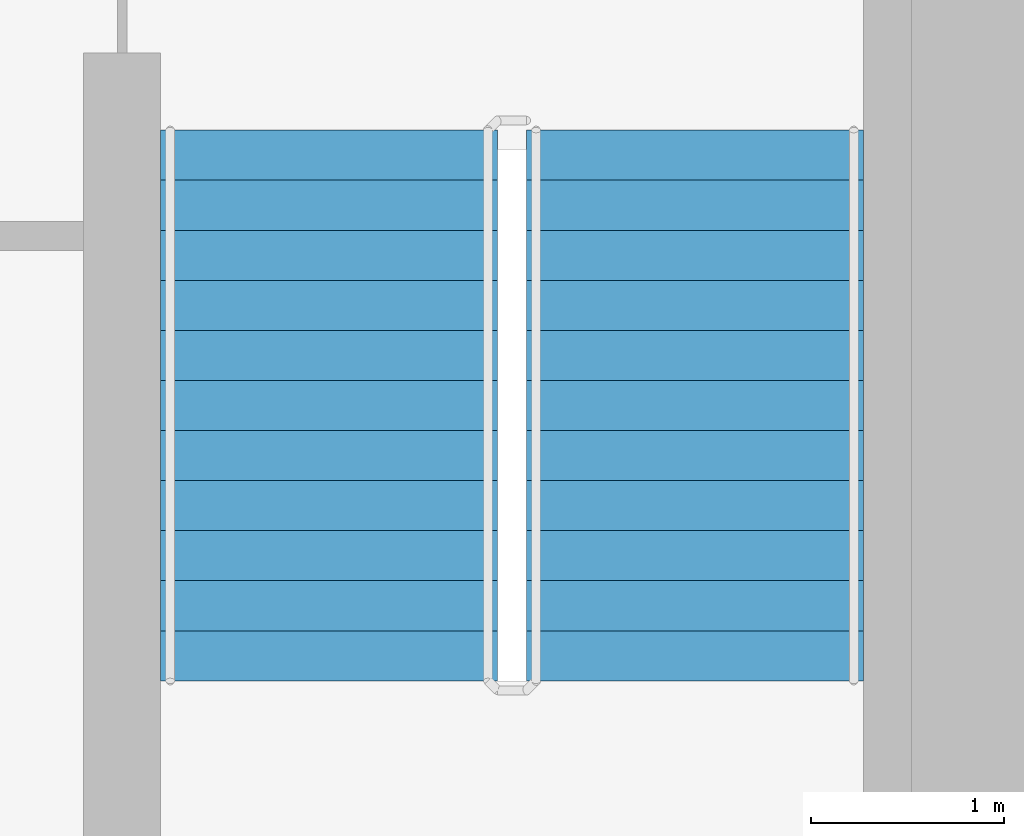
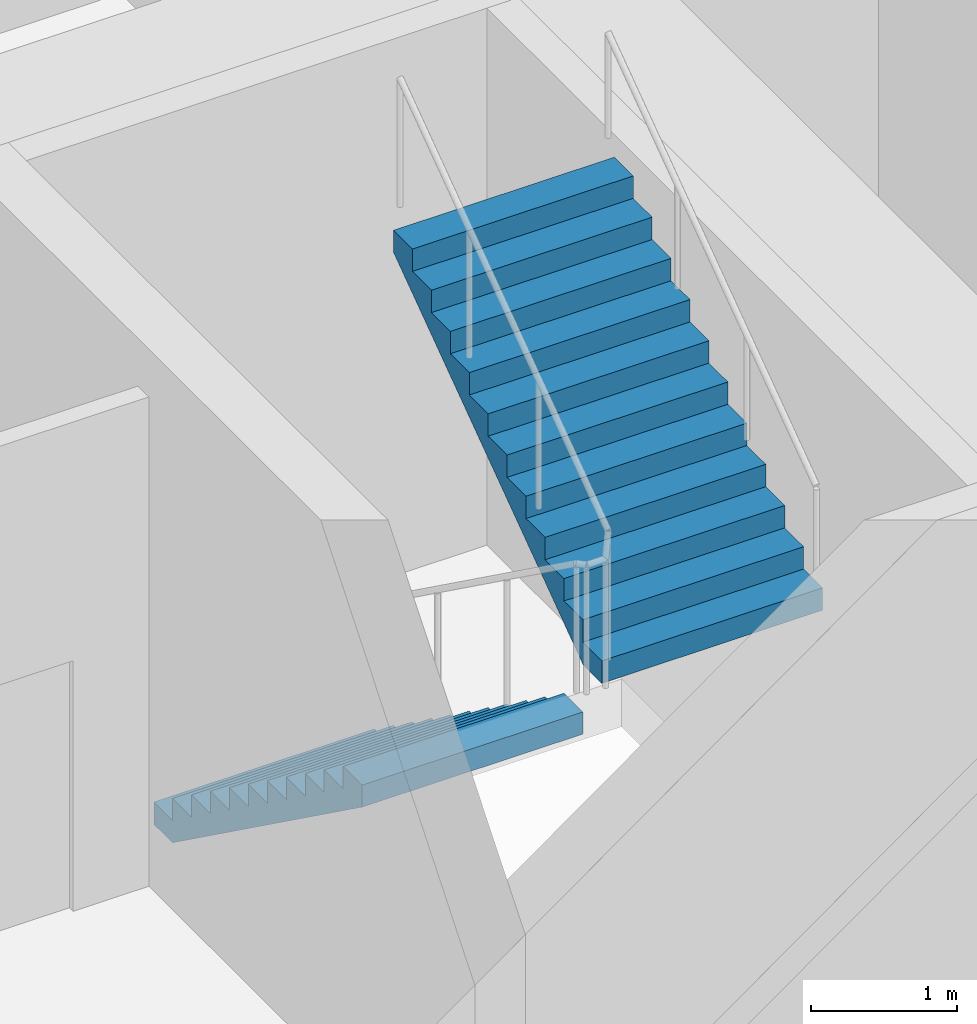
# One storey, part 19 of 20: 2 stair flights, 1 element without a shape of its own.
"""IFC4 building model written with IfcOpenShell, lengths in metres."""

from ifc_helpers import new_model, si_unit, direction, frame, origin, place, context, subcontext, project, spatial, faceted_brep, material, type_object, element, aggregate, save


model = new_model("IFC4")

# Units and contexts
model_context = context("Model", 3, precision=1e-05, world=origin(), true_north=direction((0.0, 1.0)))
body_context = subcontext(model_context, "Body", "Model", "MODEL_VIEW")
ifc_project = project(units=[si_unit("LENGTHUNIT", "METRE"), si_unit("AREAUNIT", "SQUARE_METRE"), si_unit("VOLUMEUNIT", "CUBIC_METRE"), si_unit("PLANEANGLEUNIT", "RADIAN"), si_unit("MASSUNIT", "GRAM", prefix="KILO")], contexts=[model_context])

# Site, building, storey
site_placement = place(None, origin())
site = spatial("IfcSite", under=ifc_project, at=site_placement, CompositionType="ELEMENT")
building_placement = place(site_placement, origin())
building = spatial("IfcBuilding", under=site, at=building_placement, Name="Ipe Terrace Towers", CompositionType="ELEMENT")
storey_placement = place(building_placement, frame((0.0, 0.0, 124.199951171875)))
storey = spatial("IfcBuildingStorey", under=building, at=storey_placement, Name="L34", CompositionType="ELEMENT", Elevation=124.199951171875)

# Stair, stair flights
ifc_material_1 = material(Name="Concrete C30/37", Category="concrete")
stair_type = type_object("IfcStairType", Name="Protected exit stair", PredefinedType="HALF_TURN_STAIR", material=ifc_material_1)
stair_placement = place(storey_placement, origin())
stair = element("IfcStair", 1, at=stair_placement, inside=storey, type_object=stair_type, Name="L34 Exit stair T2-C2", PredefinedType="HALF_TURN_STAIR")
ifc_material_2 = material(Name="Concrete C30/37", Category="concrete")
stair_flight_type = type_object("IfcStairFlightType", Name="Exit stair flight 1750", PredefinedType="STRAIGHT", material=ifc_material_2)
stair_flight_1_placement = place(storey_placement, frame((38.77490234375, -9.699951171875, 0.0), z_axis=(0.0, 0.0, 1.0), x_axis=(0.0, -1.0, 0.0)))
stair_flight_1 = element("IfcStairFlight", 2, at=stair_flight_1_placement, type_object=stair_flight_type, Name="T2-ST2 flight 1", NumberOfRisers=12, NumberOfTreads=11, PredefinedType="STRAIGHT", RiserHeight=0.1875, TreadLength=0.26, context=body_context, shape_type="Brep", body=[
    faceted_brep([(0.25634765625, -0.875, 0.0), (2.860107421875, -0.875, 1.877685546875), (2.860107421875, -0.875, 2.0625), (2.60009765625, -0.875, 2.0625), (2.60009765625, -0.875, 1.875), (2.340087890625, -0.875, 1.875), (2.340087890625, -0.875, 1.6875), (2.080078125, -0.875, 1.6875), (2.080078125, -0.875, 1.5), (1.820068359375, -0.875, 1.5), (1.820068359375, -0.875, 1.3125), (1.56005859375, -0.875, 1.3125), (1.56005859375, -0.875, 1.125), (1.300048828125, -0.875, 1.125), (1.300048828125, -0.875, 0.9375), (1.0400390625, -0.875, 0.9375), (1.0400390625, -0.875, 0.75), (0.780029296875, -0.875, 0.75), (0.780029296875, -0.875, 0.5625), (0.52001953125, -0.875, 0.5625), (0.52001953125, -0.875, 0.375), (0.260009765625, -0.875, 0.375), (0.260009765625, -0.875, 0.1875), (0.0, -0.875, 0.1875), (0.0, -0.875, 0.0), (0.0, 0.875, 0.0), (0.0, 0.875, 0.1875), (0.260009765625, 0.875, 0.1875), (0.260009765625, 0.875, 0.375), (0.52001953125, 0.875, 0.375), (0.52001953125, 0.875, 0.5625), (0.780029296875, 0.875, 0.5625), (0.780029296875, 0.875, 0.75), (1.0400390625, 0.875, 0.75), (1.0400390625, 0.875, 0.9375), (1.300048828125, 0.875, 0.9375), (1.300048828125, 0.875, 1.125), (1.56005859375, 0.875, 1.125), (1.56005859375, 0.875, 1.3125), (1.820068359375, 0.875, 1.3125), (1.820068359375, 0.875, 1.5), (2.080078125, 0.875, 1.5), (2.080078125, 0.875, 1.6875), (2.340087890625, 0.875, 1.6875), (2.340087890625, 0.875, 1.875), (2.60009765625, 0.875, 1.875), (2.60009765625, 0.875, 2.0625), (2.860107421875, 0.875, 2.0625), (2.860107421875, 0.875, 1.877685546875), (0.25634765625, 0.875, 0.0), (0.0, -0.300048828125, 0.1875), (0.0, -0.1201171875, 0.1875), (0.0, -0.06005859375, 0.1875), (0.0, -0.030029296875, 0.1875), (0.0, -0.010009765625, 0.1875), (0.0, 0.0, 0.1875), (0.0, 0.010009765625, 0.1875), (0.0, 0.030029296875, 0.1875), (0.0, 0.06005859375, 0.1875), (0.0, 0.1201171875, 0.1875), (0.0, 0.300048828125, 0.1875), (0.0, 0.300048828125, 0.0), (0.0, 0.1201171875, 0.0), (0.0, 0.06005859375, 0.0), (0.0, 0.030029296875, 0.0), (0.0, 0.010009765625, 0.0), (0.0, 0.0, 0.0), (0.0, -0.010009765625, 0.0), (0.0, -0.030029296875, 0.0), (0.0, -0.06005859375, 0.0), (0.0, -0.1201171875, 0.0), (0.0, -0.300048828125, 0.0), (0.260009765625, -0.300048828125, 0.1875), (0.260009765625, -0.1201171875, 0.1875), (0.260009765625, -0.06005859375, 0.1875), (0.260009765625, -0.030029296875, 0.1875), (0.260009765625, -0.010009765625, 0.1875), (0.260009765625, 0.0, 0.1875), (0.260009765625, 0.010009765625, 0.1875), (0.260009765625, 0.030029296875, 0.1875), (0.260009765625, 0.06005859375, 0.1875), (0.260009765625, 0.1201171875, 0.1875), (0.260009765625, 0.300048828125, 0.1875), (0.260009765625, -0.300048828125, 0.375), (0.260009765625, -0.1201171875, 0.375), (0.260009765625, -0.06005859375, 0.375), (0.260009765625, -0.030029296875, 0.375), (0.260009765625, -0.010009765625, 0.375), (0.260009765625, 0.0, 0.375), (0.260009765625, 0.010009765625, 0.375), (0.260009765625, 0.030029296875, 0.375), (0.260009765625, 0.06005859375, 0.375), (0.260009765625, 0.1201171875, 0.375), (0.260009765625, 0.300048828125, 0.375), (0.52001953125, -0.300048828125, 0.375), (0.52001953125, -0.1201171875, 0.375), (0.52001953125, -0.06005859375, 0.375), (0.52001953125, -0.030029296875, 0.375), (0.52001953125, -0.010009765625, 0.375), (0.52001953125, 0.0, 0.375), (0.52001953125, 0.010009765625, 0.375), (0.52001953125, 0.030029296875, 0.375), (0.52001953125, 0.06005859375, 0.375), (0.52001953125, 0.1201171875, 0.375), (0.52001953125, 0.300048828125, 0.375), (0.52001953125, -0.300048828125, 0.5625), (0.52001953125, -0.1201171875, 0.5625), (0.52001953125, -0.06005859375, 0.5625), (0.52001953125, -0.030029296875, 0.5625), (0.52001953125, -0.010009765625, 0.5625), (0.52001953125, 0.0, 0.5625), (0.52001953125, 0.010009765625, 0.5625), (0.52001953125, 0.030029296875, 0.5625), (0.52001953125, 0.06005859375, 0.5625), (0.52001953125, 0.1201171875, 0.5625), (0.52001953125, 0.300048828125, 0.5625), (0.780029296875, -0.300048828125, 0.5625), (0.780029296875, -0.1201171875, 0.5625), (0.780029296875, -0.06005859375, 0.5625), (0.780029296875, -0.030029296875, 0.5625), (0.780029296875, -0.010009765625, 0.5625), (0.780029296875, 0.0, 0.5625), (0.780029296875, 0.010009765625, 0.5625), (0.780029296875, 0.030029296875, 0.5625), (0.780029296875, 0.06005859375, 0.5625), (0.780029296875, 0.1201171875, 0.5625), (0.780029296875, 0.300048828125, 0.5625), (0.780029296875, -0.300048828125, 0.75), (0.780029296875, -0.1201171875, 0.75), (0.780029296875, -0.06005859375, 0.75), (0.780029296875, -0.030029296875, 0.75), (0.780029296875, -0.010009765625, 0.75), (0.780029296875, 0.0, 0.75), (0.780029296875, 0.010009765625, 0.75), (0.780029296875, 0.030029296875, 0.75), (0.780029296875, 0.06005859375, 0.75), (0.780029296875, 0.1201171875, 0.75), (0.780029296875, 0.300048828125, 0.75), (1.0400390625, -0.300048828125, 0.75), (1.0400390625, -0.1201171875, 0.75), (1.0400390625, -0.06005859375, 0.75), (1.0400390625, -0.030029296875, 0.75), (1.0400390625, -0.010009765625, 0.75), (1.0400390625, 0.0, 0.75), (1.0400390625, 0.010009765625, 0.75), (1.0400390625, 0.030029296875, 0.75), (1.0400390625, 0.06005859375, 0.75), (1.0400390625, 0.1201171875, 0.75), (1.0400390625, 0.300048828125, 0.75), (1.0400390625, -0.300048828125, 0.9375), (1.0400390625, -0.1201171875, 0.9375), (1.0400390625, -0.06005859375, 0.9375), (1.0400390625, -0.030029296875, 0.9375), (1.0400390625, -0.010009765625, 0.9375), (1.0400390625, 0.0, 0.9375), (1.0400390625, 0.010009765625, 0.9375), (1.0400390625, 0.030029296875, 0.9375), (1.0400390625, 0.06005859375, 0.9375), (1.0400390625, 0.1201171875, 0.9375), (1.0400390625, 0.300048828125, 0.9375), (1.300048828125, -0.300048828125, 0.9375), (1.300048828125, -0.1201171875, 0.9375), (1.300048828125, -0.06005859375, 0.9375), (1.300048828125, -0.030029296875, 0.9375), (1.300048828125, -0.010009765625, 0.9375), (1.300048828125, 0.0, 0.9375), (1.300048828125, 0.010009765625, 0.9375), (1.300048828125, 0.030029296875, 0.9375), (1.300048828125, 0.06005859375, 0.9375), (1.300048828125, 0.1201171875, 0.9375), (1.300048828125, 0.300048828125, 0.9375), (1.300048828125, -0.300048828125, 1.125), (1.300048828125, -0.1201171875, 1.125), (1.300048828125, -0.06005859375, 1.125), (1.300048828125, -0.030029296875, 1.125), (1.300048828125, -0.010009765625, 1.125), (1.300048828125, 0.0, 1.125), (1.300048828125, 0.010009765625, 1.125), (1.300048828125, 0.030029296875, 1.125), (1.300048828125, 0.06005859375, 1.125), (1.300048828125, 0.1201171875, 1.125), (1.300048828125, 0.300048828125, 1.125), (1.56005859375, -0.300048828125, 1.125), (1.56005859375, -0.1201171875, 1.125), (1.56005859375, -0.06005859375, 1.125), (1.56005859375, -0.030029296875, 1.125), (1.56005859375, -0.010009765625, 1.125), (1.56005859375, 0.0, 1.125), (1.56005859375, 0.010009765625, 1.125), (1.56005859375, 0.030029296875, 1.125), (1.56005859375, 0.06005859375, 1.125), (1.56005859375, 0.1201171875, 1.125), (1.56005859375, 0.300048828125, 1.125), (1.56005859375, -0.300048828125, 1.3125), (1.56005859375, -0.1201171875, 1.3125), (1.56005859375, -0.06005859375, 1.3125), (1.56005859375, -0.030029296875, 1.3125), (1.56005859375, -0.010009765625, 1.3125), (1.56005859375, 0.0, 1.3125), (1.56005859375, 0.010009765625, 1.3125), (1.56005859375, 0.030029296875, 1.3125), (1.56005859375, 0.06005859375, 1.3125), (1.56005859375, 0.1201171875, 1.3125), (1.56005859375, 0.300048828125, 1.3125), (1.820068359375, -0.300048828125, 1.3125), (1.820068359375, -0.1201171875, 1.3125), (1.820068359375, -0.06005859375, 1.3125), (1.820068359375, -0.030029296875, 1.3125), (1.820068359375, -0.010009765625, 1.3125), (1.820068359375, 0.0, 1.3125), (1.820068359375, 0.010009765625, 1.3125), (1.820068359375, 0.030029296875, 1.3125), (1.820068359375, 0.06005859375, 1.3125), (1.820068359375, 0.1201171875, 1.3125), (1.820068359375, 0.300048828125, 1.3125), (1.820068359375, -0.300048828125, 1.5), (1.820068359375, -0.1201171875, 1.5), (1.820068359375, -0.06005859375, 1.5), (1.820068359375, -0.030029296875, 1.5), (1.820068359375, -0.010009765625, 1.5), (1.820068359375, 0.0, 1.5), (1.820068359375, 0.010009765625, 1.5), (1.820068359375, 0.030029296875, 1.5), (1.820068359375, 0.06005859375, 1.5), (1.820068359375, 0.1201171875, 1.5), (1.820068359375, 0.300048828125, 1.5), (2.080078125, -0.300048828125, 1.5), (2.080078125, -0.1201171875, 1.5), (2.080078125, -0.06005859375, 1.5), (2.080078125, -0.030029296875, 1.5), (2.080078125, -0.010009765625, 1.5), (2.080078125, 0.0, 1.5), (2.080078125, 0.010009765625, 1.5), (2.080078125, 0.030029296875, 1.5), (2.080078125, 0.06005859375, 1.5), (2.080078125, 0.1201171875, 1.5), (2.080078125, 0.300048828125, 1.5), (2.080078125, -0.300048828125, 1.6875), (2.080078125, -0.1201171875, 1.6875), (2.080078125, -0.06005859375, 1.6875), (2.080078125, -0.030029296875, 1.6875), (2.080078125, -0.010009765625, 1.6875), (2.080078125, 0.0, 1.6875), (2.080078125, 0.010009765625, 1.6875), (2.080078125, 0.030029296875, 1.6875), (2.080078125, 0.06005859375, 1.6875), (2.080078125, 0.1201171875, 1.6875), (2.080078125, 0.300048828125, 1.6875), (2.340087890625, -0.300048828125, 1.6875), (2.340087890625, -0.1201171875, 1.6875), (2.340087890625, -0.06005859375, 1.6875), (2.340087890625, -0.030029296875, 1.6875), (2.340087890625, -0.010009765625, 1.6875), (2.340087890625, 0.0, 1.6875), (2.340087890625, 0.010009765625, 1.6875), (2.340087890625, 0.030029296875, 1.6875), (2.340087890625, 0.06005859375, 1.6875), (2.340087890625, 0.1201171875, 1.6875), (2.340087890625, 0.300048828125, 1.6875), (2.340087890625, -0.300048828125, 1.875), (2.340087890625, -0.1201171875, 1.875), (2.340087890625, -0.06005859375, 1.875), (2.340087890625, -0.030029296875, 1.875), (2.340087890625, -0.010009765625, 1.875), (2.340087890625, 0.0, 1.875), (2.340087890625, 0.010009765625, 1.875), (2.340087890625, 0.030029296875, 1.875), (2.340087890625, 0.06005859375, 1.875), (2.340087890625, 0.1201171875, 1.875), (2.340087890625, 0.300048828125, 1.875), (2.60009765625, -0.300048828125, 1.875), (2.60009765625, -0.1201171875, 1.875), (2.60009765625, -0.06005859375, 1.875), (2.60009765625, -0.030029296875, 1.875), (2.60009765625, -0.010009765625, 1.875), (2.60009765625, 0.0, 1.875), (2.60009765625, 0.010009765625, 1.875), (2.60009765625, 0.030029296875, 1.875), (2.60009765625, 0.06005859375, 1.875), (2.60009765625, 0.1201171875, 1.875), (2.60009765625, 0.300048828125, 1.875), (2.60009765625, -0.300048828125, 2.0625), (2.60009765625, -0.1201171875, 2.0625), (2.60009765625, -0.06005859375, 2.0625), (2.60009765625, -0.030029296875, 2.0625), (2.60009765625, -0.010009765625, 2.0625), (2.60009765625, 0.0, 2.0625), (2.60009765625, 0.010009765625, 2.0625), (2.60009765625, 0.030029296875, 2.0625), (2.60009765625, 0.06005859375, 2.0625), (2.60009765625, 0.1201171875, 2.0625), (2.60009765625, 0.300048828125, 2.0625), (2.860107421875, -0.300048828125, 2.0625), (2.860107421875, -0.1201171875, 2.0625), (2.860107421875, -0.06005859375, 2.0625), (2.860107421875, -0.030029296875, 2.0625), (2.860107421875, -0.010009765625, 2.0625), (2.860107421875, 0.0, 2.0625), (2.860107421875, 0.010009765625, 2.0625), (2.860107421875, 0.030029296875, 2.0625), (2.860107421875, 0.06005859375, 2.0625), (2.860107421875, 0.1201171875, 2.0625), (2.860107421875, 0.300048828125, 2.0625), (2.860107421875, -0.300048828125, 1.877685546875), (2.860107421875, -0.1201171875, 1.877685546875), (2.860107421875, -0.06005859375, 1.877685546875), (2.860107421875, -0.030029296875, 1.877685546875), (2.860107421875, -0.010009765625, 1.877685546875), (2.860107421875, 0.0, 1.877685546875), (2.860107421875, 0.010009765625, 1.877685546875), (2.860107421875, 0.030029296875, 1.877685546875), (2.860107421875, 0.06005859375, 1.877685546875), (2.860107421875, 0.1201171875, 1.877685546875), (2.860107421875, 0.300048828125, 1.877685546875), (0.25634765625, -0.300048828125, 0.0), (0.25634765625, -0.1201171875, 0.0), (0.25634765625, -0.06005859375, 0.0), (0.25634765625, -0.030029296875, 0.0), (0.25634765625, -0.010009765625, 0.0), (0.25634765625, 0.0, 0.0), (0.25634765625, 0.010009765625, 0.0), (0.25634765625, 0.030029296875, 0.0), (0.25634765625, 0.06005859375, 0.0), (0.25634765625, 0.1201171875, 0.0), (0.25634765625, 0.300048828125, 0.0)], [[[0, 1, 2, 3, 4, 5, 6, 7, 8, 9, 10, 11, 12, 13, 14, 15, 16, 17, 18, 19, 20, 21, 22, 23, 24]], [[25, 26, 27, 28, 29, 30, 31, 32, 33, 34, 35, 36, 37, 38, 39, 40, 41, 42, 43, 44, 45, 46, 47, 48, 49]], [[23, 50, 51, 52, 53, 54, 55, 56, 57, 58, 59, 60, 26, 25, 61, 62, 63, 64, 65, 66, 67, 68, 69, 70, 71, 24]], [[22, 72, 73, 74, 75, 76, 77, 78, 79, 80, 81, 82, 27, 26, 60, 59, 58, 57, 56, 55, 54, 53, 52, 51, 50, 23]], [[21, 83, 84, 85, 86, 87, 88, 89, 90, 91, 92, 93, 28, 27, 82, 81, 80, 79, 78, 77, 76, 75, 74, 73, 72, 22]], [[20, 94, 95, 96, 97, 98, 99, 100, 101, 102, 103, 104, 29, 28, 93, 92, 91, 90, 89, 88, 87, 86, 85, 84, 83, 21]], [[19, 105, 106, 107, 108, 109, 110, 111, 112, 113, 114, 115, 30, 29, 104, 103, 102, 101, 100, 99, 98, 97, 96, 95, 94, 20]], [[18, 116, 117, 118, 119, 120, 121, 122, 123, 124, 125, 126, 31, 30, 115, 114, 113, 112, 111, 110, 109, 108, 107, 106, 105, 19]], [[17, 127, 128, 129, 130, 131, 132, 133, 134, 135, 136, 137, 32, 31, 126, 125, 124, 123, 122, 121, 120, 119, 118, 117, 116, 18]], [[16, 138, 139, 140, 141, 142, 143, 144, 145, 146, 147, 148, 33, 32, 137, 136, 135, 134, 133, 132, 131, 130, 129, 128, 127, 17]], [[15, 149, 150, 151, 152, 153, 154, 155, 156, 157, 158, 159, 34, 33, 148, 147, 146, 145, 144, 143, 142, 141, 140, 139, 138, 16]], [[14, 160, 161, 162, 163, 164, 165, 166, 167, 168, 169, 170, 35, 34, 159, 158, 157, 156, 155, 154, 153, 152, 151, 150, 149, 15]], [[13, 171, 172, 173, 174, 175, 176, 177, 178, 179, 180, 181, 36, 35, 170, 169, 168, 167, 166, 165, 164, 163, 162, 161, 160, 14]], [[12, 182, 183, 184, 185, 186, 187, 188, 189, 190, 191, 192, 37, 36, 181, 180, 179, 178, 177, 176, 175, 174, 173, 172, 171, 13]], [[11, 193, 194, 195, 196, 197, 198, 199, 200, 201, 202, 203, 38, 37, 192, 191, 190, 189, 188, 187, 186, 185, 184, 183, 182, 12]], [[10, 204, 205, 206, 207, 208, 209, 210, 211, 212, 213, 214, 39, 38, 203, 202, 201, 200, 199, 198, 197, 196, 195, 194, 193, 11]], [[9, 215, 216, 217, 218, 219, 220, 221, 222, 223, 224, 225, 40, 39, 214, 213, 212, 211, 210, 209, 208, 207, 206, 205, 204, 10]], [[8, 226, 227, 228, 229, 230, 231, 232, 233, 234, 235, 236, 41, 40, 225, 224, 223, 222, 221, 220, 219, 218, 217, 216, 215, 9]], [[7, 237, 238, 239, 240, 241, 242, 243, 244, 245, 246, 247, 42, 41, 236, 235, 234, 233, 232, 231, 230, 229, 228, 227, 226, 8]], [[6, 248, 249, 250, 251, 252, 253, 254, 255, 256, 257, 258, 43, 42, 247, 246, 245, 244, 243, 242, 241, 240, 239, 238, 237, 7]], [[5, 259, 260, 261, 262, 263, 264, 265, 266, 267, 268, 269, 44, 43, 258, 257, 256, 255, 254, 253, 252, 251, 250, 249, 248, 6]], [[4, 270, 271, 272, 273, 274, 275, 276, 277, 278, 279, 280, 45, 44, 269, 268, 267, 266, 265, 264, 263, 262, 261, 260, 259, 5]], [[3, 281, 282, 283, 284, 285, 286, 287, 288, 289, 290, 291, 46, 45, 280, 279, 278, 277, 276, 275, 274, 273, 272, 271, 270, 4]], [[2, 292, 293, 294, 295, 296, 297, 298, 299, 300, 301, 302, 47, 46, 291, 290, 289, 288, 287, 286, 285, 284, 283, 282, 281, 3]], [[1, 303, 304, 305, 306, 307, 308, 309, 310, 311, 312, 313, 48, 47, 302, 301, 300, 299, 298, 297, 296, 295, 294, 293, 292, 2]], [[0, 314, 315, 316, 317, 318, 319, 320, 321, 322, 323, 324, 49, 48, 313, 312, 311, 310, 309, 308, 307, 306, 305, 304, 303, 1]], [[24, 71, 70, 69, 68, 67, 66, 65, 64, 63, 62, 61, 25, 49, 324, 323, 322, 321, 320, 319, 318, 317, 316, 315, 314, 0]]]),
])
stair_flight_2_placement = place(storey_placement, frame((40.675048828125, -12.56005859375, 2.25), z_axis=(0.0, 0.0, 1.0), x_axis=(0.0, 1.0, 0.0)))
stair_flight_2 = element("IfcStairFlight", 3, at=stair_flight_2_placement, type_object=stair_flight_type, Name="T2-ST2 flight 2", NumberOfRisers=12, NumberOfTreads=11, PredefinedType="STRAIGHT", RiserHeight=0.1875, TreadLength=0.26, context=body_context, shape_type="Brep", body=[
    faceted_brep([(0.25634765625, -0.875, 0.0), (2.860107421875, -0.875, 1.877685546875), (2.860107421875, -0.875, 2.0625), (2.60009765625, -0.875, 2.0625), (2.60009765625, -0.875, 1.875), (2.340087890625, -0.875, 1.875), (2.340087890625, -0.875, 1.6875), (2.080078125, -0.875, 1.6875), (2.080078125, -0.875, 1.5), (1.820068359375, -0.875, 1.5), (1.820068359375, -0.875, 1.3125), (1.56005859375, -0.875, 1.3125), (1.56005859375, -0.875, 1.125), (1.300048828125, -0.875, 1.125), (1.300048828125, -0.875, 0.9375), (1.0400390625, -0.875, 0.9375), (1.0400390625, -0.875, 0.75), (0.780029296875, -0.875, 0.75), (0.780029296875, -0.875, 0.5625), (0.52001953125, -0.875, 0.5625), (0.52001953125, -0.875, 0.375), (0.260009765625, -0.875, 0.375), (0.260009765625, -0.875, 0.1875), (0.0, -0.875, 0.1875), (0.0, -0.875, 0.0), (0.0, 0.875, 0.0), (0.0, 0.875, 0.1875), (0.260009765625, 0.875, 0.1875), (0.260009765625, 0.875, 0.375), (0.52001953125, 0.875, 0.375), (0.52001953125, 0.875, 0.5625), (0.780029296875, 0.875, 0.5625), (0.780029296875, 0.875, 0.75), (1.0400390625, 0.875, 0.75), (1.0400390625, 0.875, 0.9375), (1.300048828125, 0.875, 0.9375), (1.300048828125, 0.875, 1.125), (1.56005859375, 0.875, 1.125), (1.56005859375, 0.875, 1.3125), (1.820068359375, 0.875, 1.3125), (1.820068359375, 0.875, 1.5), (2.080078125, 0.875, 1.5), (2.080078125, 0.875, 1.6875), (2.340087890625, 0.875, 1.6875), (2.340087890625, 0.875, 1.875), (2.60009765625, 0.875, 1.875), (2.60009765625, 0.875, 2.0625), (2.860107421875, 0.875, 2.0625), (2.860107421875, 0.875, 1.877685546875), (0.25634765625, 0.875, 0.0), (0.0, -0.300048828125, 0.1875), (0.0, -0.1201171875, 0.1875), (0.0, -0.06005859375, 0.1875), (0.0, -0.030029296875, 0.1875), (0.0, -0.010009765625, 0.1875), (0.0, 0.0, 0.1875), (0.0, 0.010009765625, 0.1875), (0.0, 0.030029296875, 0.1875), (0.0, 0.06005859375, 0.1875), (0.0, 0.1201171875, 0.1875), (0.0, 0.300048828125, 0.1875), (0.0, 0.300048828125, 0.0), (0.0, 0.1201171875, 0.0), (0.0, 0.06005859375, 0.0), (0.0, 0.030029296875, 0.0), (0.0, 0.010009765625, 0.0), (0.0, 0.0, 0.0), (0.0, -0.010009765625, 0.0), (0.0, -0.030029296875, 0.0), (0.0, -0.06005859375, 0.0), (0.0, -0.1201171875, 0.0), (0.0, -0.300048828125, 0.0), (0.260009765625, -0.300048828125, 0.1875), (0.260009765625, -0.1201171875, 0.1875), (0.260009765625, -0.06005859375, 0.1875), (0.260009765625, -0.030029296875, 0.1875), (0.260009765625, -0.010009765625, 0.1875), (0.260009765625, 0.0, 0.1875), (0.260009765625, 0.010009765625, 0.1875), (0.260009765625, 0.030029296875, 0.1875), (0.260009765625, 0.06005859375, 0.1875), (0.260009765625, 0.1201171875, 0.1875), (0.260009765625, 0.300048828125, 0.1875), (0.260009765625, -0.300048828125, 0.375), (0.260009765625, -0.1201171875, 0.375), (0.260009765625, -0.06005859375, 0.375), (0.260009765625, -0.030029296875, 0.375), (0.260009765625, -0.010009765625, 0.375), (0.260009765625, 0.0, 0.375), (0.260009765625, 0.010009765625, 0.375), (0.260009765625, 0.030029296875, 0.375), (0.260009765625, 0.06005859375, 0.375), (0.260009765625, 0.1201171875, 0.375), (0.260009765625, 0.300048828125, 0.375), (0.52001953125, -0.300048828125, 0.375), (0.52001953125, -0.1201171875, 0.375), (0.52001953125, -0.06005859375, 0.375), (0.52001953125, -0.030029296875, 0.375), (0.52001953125, -0.010009765625, 0.375), (0.52001953125, 0.0, 0.375), (0.52001953125, 0.010009765625, 0.375), (0.52001953125, 0.030029296875, 0.375), (0.52001953125, 0.06005859375, 0.375), (0.52001953125, 0.1201171875, 0.375), (0.52001953125, 0.300048828125, 0.375), (0.52001953125, -0.300048828125, 0.5625), (0.52001953125, -0.1201171875, 0.5625), (0.52001953125, -0.06005859375, 0.5625), (0.52001953125, -0.030029296875, 0.5625), (0.52001953125, -0.010009765625, 0.5625), (0.52001953125, 0.0, 0.5625), (0.52001953125, 0.010009765625, 0.5625), (0.52001953125, 0.030029296875, 0.5625), (0.52001953125, 0.06005859375, 0.5625), (0.52001953125, 0.1201171875, 0.5625), (0.52001953125, 0.300048828125, 0.5625), (0.780029296875, -0.300048828125, 0.5625), (0.780029296875, -0.1201171875, 0.5625), (0.780029296875, -0.06005859375, 0.5625), (0.780029296875, -0.030029296875, 0.5625), (0.780029296875, -0.010009765625, 0.5625), (0.780029296875, 0.0, 0.5625), (0.780029296875, 0.010009765625, 0.5625), (0.780029296875, 0.030029296875, 0.5625), (0.780029296875, 0.06005859375, 0.5625), (0.780029296875, 0.1201171875, 0.5625), (0.780029296875, 0.300048828125, 0.5625), (0.780029296875, -0.300048828125, 0.75), (0.780029296875, -0.1201171875, 0.75), (0.780029296875, -0.06005859375, 0.75), (0.780029296875, -0.030029296875, 0.75), (0.780029296875, -0.010009765625, 0.75), (0.780029296875, 0.0, 0.75), (0.780029296875, 0.010009765625, 0.75), (0.780029296875, 0.030029296875, 0.75), (0.780029296875, 0.06005859375, 0.75), (0.780029296875, 0.1201171875, 0.75), (0.780029296875, 0.300048828125, 0.75), (1.0400390625, -0.300048828125, 0.75), (1.0400390625, -0.1201171875, 0.75), (1.0400390625, -0.06005859375, 0.75), (1.0400390625, -0.030029296875, 0.75), (1.0400390625, -0.010009765625, 0.75), (1.0400390625, 0.0, 0.75), (1.0400390625, 0.010009765625, 0.75), (1.0400390625, 0.030029296875, 0.75), (1.0400390625, 0.06005859375, 0.75), (1.0400390625, 0.1201171875, 0.75), (1.0400390625, 0.300048828125, 0.75), (1.0400390625, -0.300048828125, 0.9375), (1.0400390625, -0.1201171875, 0.9375), (1.0400390625, -0.06005859375, 0.9375), (1.0400390625, -0.030029296875, 0.9375), (1.0400390625, -0.010009765625, 0.9375), (1.0400390625, 0.0, 0.9375), (1.0400390625, 0.010009765625, 0.9375), (1.0400390625, 0.030029296875, 0.9375), (1.0400390625, 0.06005859375, 0.9375), (1.0400390625, 0.1201171875, 0.9375), (1.0400390625, 0.300048828125, 0.9375), (1.300048828125, -0.300048828125, 0.9375), (1.300048828125, -0.1201171875, 0.9375), (1.300048828125, -0.06005859375, 0.9375), (1.300048828125, -0.030029296875, 0.9375), (1.300048828125, -0.010009765625, 0.9375), (1.300048828125, 0.0, 0.9375), (1.300048828125, 0.010009765625, 0.9375), (1.300048828125, 0.030029296875, 0.9375), (1.300048828125, 0.06005859375, 0.9375), (1.300048828125, 0.1201171875, 0.9375), (1.300048828125, 0.300048828125, 0.9375), (1.300048828125, -0.300048828125, 1.125), (1.300048828125, -0.1201171875, 1.125), (1.300048828125, -0.06005859375, 1.125), (1.300048828125, -0.030029296875, 1.125), (1.300048828125, -0.010009765625, 1.125), (1.300048828125, 0.0, 1.125), (1.300048828125, 0.010009765625, 1.125), (1.300048828125, 0.030029296875, 1.125), (1.300048828125, 0.06005859375, 1.125), (1.300048828125, 0.1201171875, 1.125), (1.300048828125, 0.300048828125, 1.125), (1.56005859375, -0.300048828125, 1.125), (1.56005859375, -0.1201171875, 1.125), (1.56005859375, -0.06005859375, 1.125), (1.56005859375, -0.030029296875, 1.125), (1.56005859375, -0.010009765625, 1.125), (1.56005859375, 0.0, 1.125), (1.56005859375, 0.010009765625, 1.125), (1.56005859375, 0.030029296875, 1.125), (1.56005859375, 0.06005859375, 1.125), (1.56005859375, 0.1201171875, 1.125), (1.56005859375, 0.300048828125, 1.125), (1.56005859375, -0.300048828125, 1.3125), (1.56005859375, -0.1201171875, 1.3125), (1.56005859375, -0.06005859375, 1.3125), (1.56005859375, -0.030029296875, 1.3125), (1.56005859375, -0.010009765625, 1.3125), (1.56005859375, 0.0, 1.3125), (1.56005859375, 0.010009765625, 1.3125), (1.56005859375, 0.030029296875, 1.3125), (1.56005859375, 0.06005859375, 1.3125), (1.56005859375, 0.1201171875, 1.3125), (1.56005859375, 0.300048828125, 1.3125), (1.820068359375, -0.300048828125, 1.3125), (1.820068359375, -0.1201171875, 1.3125), (1.820068359375, -0.06005859375, 1.3125), (1.820068359375, -0.030029296875, 1.3125), (1.820068359375, -0.010009765625, 1.3125), (1.820068359375, 0.0, 1.3125), (1.820068359375, 0.010009765625, 1.3125), (1.820068359375, 0.030029296875, 1.3125), (1.820068359375, 0.06005859375, 1.3125), (1.820068359375, 0.1201171875, 1.3125), (1.820068359375, 0.300048828125, 1.3125), (1.820068359375, -0.300048828125, 1.5), (1.820068359375, -0.1201171875, 1.5), (1.820068359375, -0.06005859375, 1.5), (1.820068359375, -0.030029296875, 1.5), (1.820068359375, -0.010009765625, 1.5), (1.820068359375, 0.0, 1.5), (1.820068359375, 0.010009765625, 1.5), (1.820068359375, 0.030029296875, 1.5), (1.820068359375, 0.06005859375, 1.5), (1.820068359375, 0.1201171875, 1.5), (1.820068359375, 0.300048828125, 1.5), (2.080078125, -0.300048828125, 1.5), (2.080078125, -0.1201171875, 1.5), (2.080078125, -0.06005859375, 1.5), (2.080078125, -0.030029296875, 1.5), (2.080078125, -0.010009765625, 1.5), (2.080078125, 0.0, 1.5), (2.080078125, 0.010009765625, 1.5), (2.080078125, 0.030029296875, 1.5), (2.080078125, 0.06005859375, 1.5), (2.080078125, 0.1201171875, 1.5), (2.080078125, 0.300048828125, 1.5), (2.080078125, -0.300048828125, 1.6875), (2.080078125, -0.1201171875, 1.6875), (2.080078125, -0.06005859375, 1.6875), (2.080078125, -0.030029296875, 1.6875), (2.080078125, -0.010009765625, 1.6875), (2.080078125, 0.0, 1.6875), (2.080078125, 0.010009765625, 1.6875), (2.080078125, 0.030029296875, 1.6875), (2.080078125, 0.06005859375, 1.6875), (2.080078125, 0.1201171875, 1.6875), (2.080078125, 0.300048828125, 1.6875), (2.340087890625, -0.300048828125, 1.6875), (2.340087890625, -0.1201171875, 1.6875), (2.340087890625, -0.06005859375, 1.6875), (2.340087890625, -0.030029296875, 1.6875), (2.340087890625, -0.010009765625, 1.6875), (2.340087890625, 0.0, 1.6875), (2.340087890625, 0.010009765625, 1.6875), (2.340087890625, 0.030029296875, 1.6875), (2.340087890625, 0.06005859375, 1.6875), (2.340087890625, 0.1201171875, 1.6875), (2.340087890625, 0.300048828125, 1.6875), (2.340087890625, -0.300048828125, 1.875), (2.340087890625, -0.1201171875, 1.875), (2.340087890625, -0.06005859375, 1.875), (2.340087890625, -0.030029296875, 1.875), (2.340087890625, -0.010009765625, 1.875), (2.340087890625, 0.0, 1.875), (2.340087890625, 0.010009765625, 1.875), (2.340087890625, 0.030029296875, 1.875), (2.340087890625, 0.06005859375, 1.875), (2.340087890625, 0.1201171875, 1.875), (2.340087890625, 0.300048828125, 1.875), (2.60009765625, -0.300048828125, 1.875), (2.60009765625, -0.1201171875, 1.875), (2.60009765625, -0.06005859375, 1.875), (2.60009765625, -0.030029296875, 1.875), (2.60009765625, -0.010009765625, 1.875), (2.60009765625, 0.0, 1.875), (2.60009765625, 0.010009765625, 1.875), (2.60009765625, 0.030029296875, 1.875), (2.60009765625, 0.06005859375, 1.875), (2.60009765625, 0.1201171875, 1.875), (2.60009765625, 0.300048828125, 1.875), (2.60009765625, -0.300048828125, 2.0625), (2.60009765625, -0.1201171875, 2.0625), (2.60009765625, -0.06005859375, 2.0625), (2.60009765625, -0.030029296875, 2.0625), (2.60009765625, -0.010009765625, 2.0625), (2.60009765625, 0.0, 2.0625), (2.60009765625, 0.010009765625, 2.0625), (2.60009765625, 0.030029296875, 2.0625), (2.60009765625, 0.06005859375, 2.0625), (2.60009765625, 0.1201171875, 2.0625), (2.60009765625, 0.300048828125, 2.0625), (2.860107421875, -0.300048828125, 2.0625), (2.860107421875, -0.1201171875, 2.0625), (2.860107421875, -0.06005859375, 2.0625), (2.860107421875, -0.030029296875, 2.0625), (2.860107421875, -0.010009765625, 2.0625), (2.860107421875, 0.0, 2.0625), (2.860107421875, 0.010009765625, 2.0625), (2.860107421875, 0.030029296875, 2.0625), (2.860107421875, 0.06005859375, 2.0625), (2.860107421875, 0.1201171875, 2.0625), (2.860107421875, 0.300048828125, 2.0625), (2.860107421875, -0.300048828125, 1.877685546875), (2.860107421875, -0.1201171875, 1.877685546875), (2.860107421875, -0.06005859375, 1.877685546875), (2.860107421875, -0.030029296875, 1.877685546875), (2.860107421875, -0.010009765625, 1.877685546875), (2.860107421875, 0.0, 1.877685546875), (2.860107421875, 0.010009765625, 1.877685546875), (2.860107421875, 0.030029296875, 1.877685546875), (2.860107421875, 0.06005859375, 1.877685546875), (2.860107421875, 0.1201171875, 1.877685546875), (2.860107421875, 0.300048828125, 1.877685546875), (0.25634765625, -0.300048828125, 0.0), (0.25634765625, -0.1201171875, 0.0), (0.25634765625, -0.06005859375, 0.0), (0.25634765625, -0.030029296875, 0.0), (0.25634765625, -0.010009765625, 0.0), (0.25634765625, 0.0, 0.0), (0.25634765625, 0.010009765625, 0.0), (0.25634765625, 0.030029296875, 0.0), (0.25634765625, 0.06005859375, 0.0), (0.25634765625, 0.1201171875, 0.0), (0.25634765625, 0.300048828125, 0.0)], [[[0, 1, 2, 3, 4, 5, 6, 7, 8, 9, 10, 11, 12, 13, 14, 15, 16, 17, 18, 19, 20, 21, 22, 23, 24]], [[25, 26, 27, 28, 29, 30, 31, 32, 33, 34, 35, 36, 37, 38, 39, 40, 41, 42, 43, 44, 45, 46, 47, 48, 49]], [[23, 50, 51, 52, 53, 54, 55, 56, 57, 58, 59, 60, 26, 25, 61, 62, 63, 64, 65, 66, 67, 68, 69, 70, 71, 24]], [[22, 72, 73, 74, 75, 76, 77, 78, 79, 80, 81, 82, 27, 26, 60, 59, 58, 57, 56, 55, 54, 53, 52, 51, 50, 23]], [[21, 83, 84, 85, 86, 87, 88, 89, 90, 91, 92, 93, 28, 27, 82, 81, 80, 79, 78, 77, 76, 75, 74, 73, 72, 22]], [[20, 94, 95, 96, 97, 98, 99, 100, 101, 102, 103, 104, 29, 28, 93, 92, 91, 90, 89, 88, 87, 86, 85, 84, 83, 21]], [[19, 105, 106, 107, 108, 109, 110, 111, 112, 113, 114, 115, 30, 29, 104, 103, 102, 101, 100, 99, 98, 97, 96, 95, 94, 20]], [[18, 116, 117, 118, 119, 120, 121, 122, 123, 124, 125, 126, 31, 30, 115, 114, 113, 112, 111, 110, 109, 108, 107, 106, 105, 19]], [[17, 127, 128, 129, 130, 131, 132, 133, 134, 135, 136, 137, 32, 31, 126, 125, 124, 123, 122, 121, 120, 119, 118, 117, 116, 18]], [[16, 138, 139, 140, 141, 142, 143, 144, 145, 146, 147, 148, 33, 32, 137, 136, 135, 134, 133, 132, 131, 130, 129, 128, 127, 17]], [[15, 149, 150, 151, 152, 153, 154, 155, 156, 157, 158, 159, 34, 33, 148, 147, 146, 145, 144, 143, 142, 141, 140, 139, 138, 16]], [[14, 160, 161, 162, 163, 164, 165, 166, 167, 168, 169, 170, 35, 34, 159, 158, 157, 156, 155, 154, 153, 152, 151, 150, 149, 15]], [[13, 171, 172, 173, 174, 175, 176, 177, 178, 179, 180, 181, 36, 35, 170, 169, 168, 167, 166, 165, 164, 163, 162, 161, 160, 14]], [[12, 182, 183, 184, 185, 186, 187, 188, 189, 190, 191, 192, 37, 36, 181, 180, 179, 178, 177, 176, 175, 174, 173, 172, 171, 13]], [[11, 193, 194, 195, 196, 197, 198, 199, 200, 201, 202, 203, 38, 37, 192, 191, 190, 189, 188, 187, 186, 185, 184, 183, 182, 12]], [[10, 204, 205, 206, 207, 208, 209, 210, 211, 212, 213, 214, 39, 38, 203, 202, 201, 200, 199, 198, 197, 196, 195, 194, 193, 11]], [[9, 215, 216, 217, 218, 219, 220, 221, 222, 223, 224, 225, 40, 39, 214, 213, 212, 211, 210, 209, 208, 207, 206, 205, 204, 10]], [[8, 226, 227, 228, 229, 230, 231, 232, 233, 234, 235, 236, 41, 40, 225, 224, 223, 222, 221, 220, 219, 218, 217, 216, 215, 9]], [[7, 237, 238, 239, 240, 241, 242, 243, 244, 245, 246, 247, 42, 41, 236, 235, 234, 233, 232, 231, 230, 229, 228, 227, 226, 8]], [[6, 248, 249, 250, 251, 252, 253, 254, 255, 256, 257, 258, 43, 42, 247, 246, 245, 244, 243, 242, 241, 240, 239, 238, 237, 7]], [[5, 259, 260, 261, 262, 263, 264, 265, 266, 267, 268, 269, 44, 43, 258, 257, 256, 255, 254, 253, 252, 251, 250, 249, 248, 6]], [[4, 270, 271, 272, 273, 274, 275, 276, 277, 278, 279, 280, 45, 44, 269, 268, 267, 266, 265, 264, 263, 262, 261, 260, 259, 5]], [[3, 281, 282, 283, 284, 285, 286, 287, 288, 289, 290, 291, 46, 45, 280, 279, 278, 277, 276, 275, 274, 273, 272, 271, 270, 4]], [[2, 292, 293, 294, 295, 296, 297, 298, 299, 300, 301, 302, 47, 46, 291, 290, 289, 288, 287, 286, 285, 284, 283, 282, 281, 3]], [[1, 303, 304, 305, 306, 307, 308, 309, 310, 311, 312, 313, 48, 47, 302, 301, 300, 299, 298, 297, 296, 295, 294, 293, 292, 2]], [[0, 314, 315, 316, 317, 318, 319, 320, 321, 322, 323, 324, 49, 48, 313, 312, 311, 310, 309, 308, 307, 306, 305, 304, 303, 1]], [[24, 71, 70, 69, 68, 67, 66, 65, 64, 63, 62, 61, 25, 49, 324, 323, 322, 321, 320, 319, 318, 317, 316, 315, 314, 0]]]),
])
aggregate(stair, [stair_flight_1, stair_flight_2])

save(model, "model.ifc")
